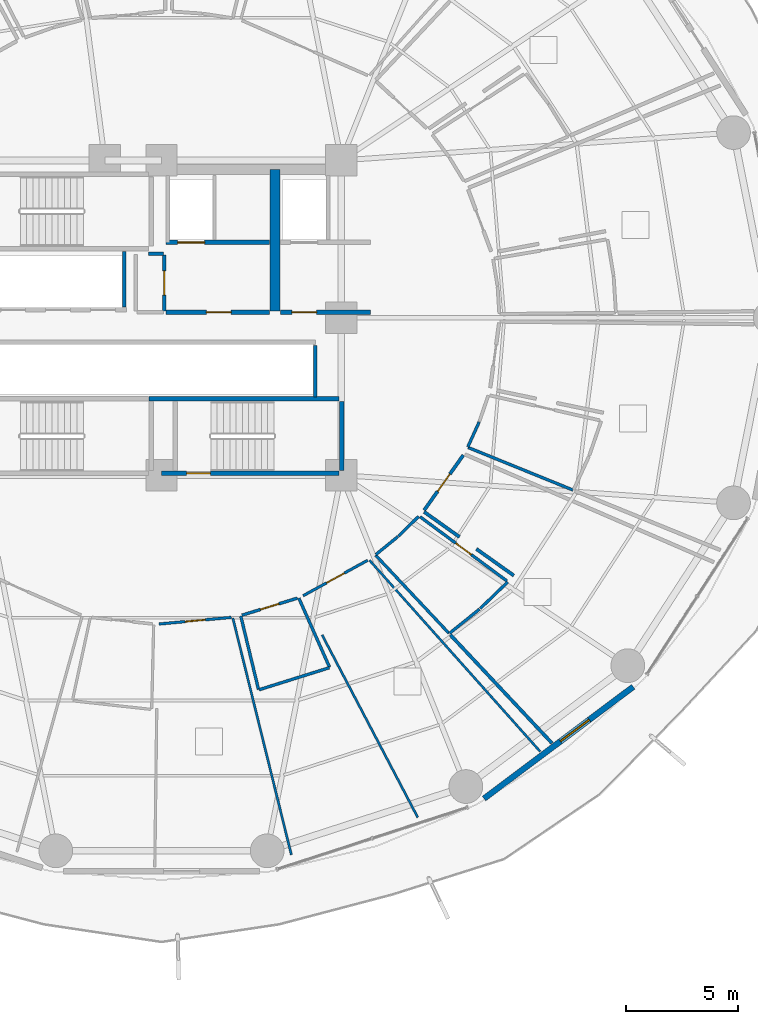
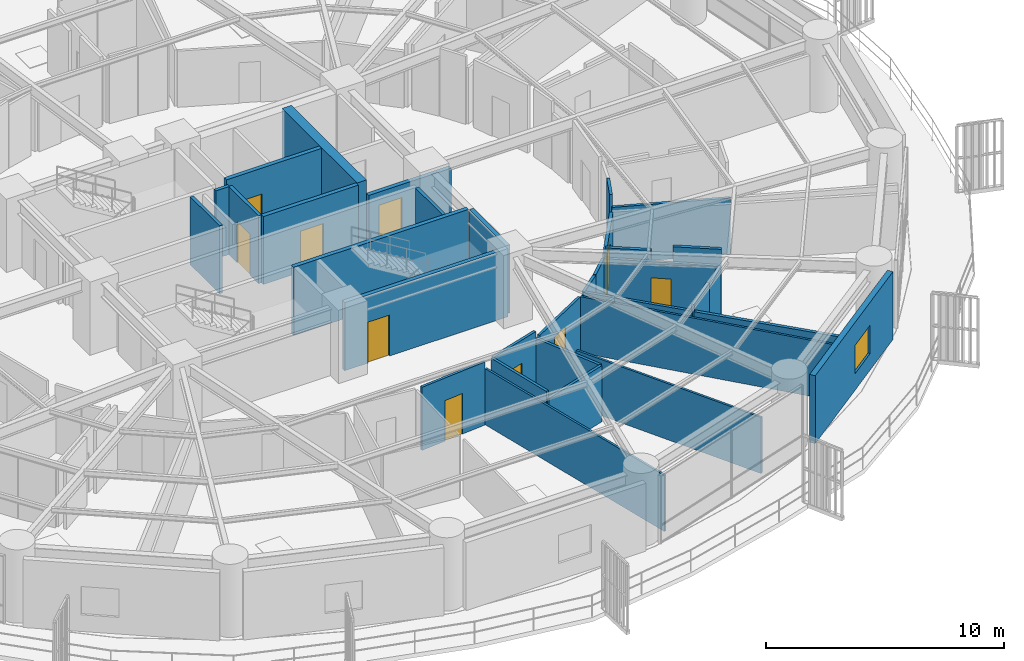
# One storey, part 25 of 34: 33 walls, 10 doors, 1 window, 11 openings.
"""IFC4 building model written with IfcOpenShell, lengths in metres."""

from ifc_helpers import new_model, si_unit, direction, frame, frame_2d, origin, place, context, subcontext, project, spatial, rectangle, extrude, material, layer, layer_set, type_object, element, fill, save


model = new_model("IFC4")

# Units and contexts
model_context = context("Model", 3, precision=1e-05, world=origin(), true_north=direction((0.0, 1.0)))
body_context = subcontext(model_context, "Body", "Model", "MODEL_VIEW")
ifc_project = project(units=[si_unit("LENGTHUNIT", "METRE"), si_unit("AREAUNIT", "SQUARE_METRE"), si_unit("VOLUMEUNIT", "CUBIC_METRE"), si_unit("PLANEANGLEUNIT", "RADIAN"), si_unit("MASSUNIT", "GRAM", prefix="KILO")], contexts=[model_context])

# Site, building, storey
site_placement = place(None, origin())
site = spatial("IfcSite", under=ifc_project, at=site_placement, CompositionType="ELEMENT")
building_placement = place(site_placement, origin())
building = spatial("IfcBuilding", under=site, at=building_placement, Name="Kelanora Arch Commons", CompositionType="ELEMENT")
storey_placement = place(building_placement, frame((0.0, 0.0, 30.0)))
storey = spatial("IfcBuildingStorey", under=building, at=storey_placement, Name="L07", CompositionType="ELEMENT", Elevation=30.0)

# Walls
ifc_material_1 = material(Name="Autoclaved aerated concrete blockwork with fire plaster", Category="masonry")
ifc_layer_1 = layer(ifc_material_1, 0.14990234375)
ifc_layer_set_1 = layer_set([ifc_layer_1], Name="Autoclaved aerated concrete blockwork with fire plaster")
wall_type_1 = type_object("IfcWallType", Name="W-COMP-150", PredefinedType="PARTITIONING", material=ifc_layer_set_1)
wall_1_placement = place(storey_placement, frame((72.340087890625, 58.47998046875, 0.0), z_axis=(0.0, 0.0, 1.0), x_axis=(0.0, 1.0, 0.0)))
element("IfcWall", 1, at=wall_1_placement, inside=storey, type_object=wall_type_1, Name="Low-Rise Lift Bank East Wall L07", PredefinedType="PARTITIONING", context=body_context, shape_type="SweptSolid", body=[
    extrude(rectangle(XDim=2.4599609375, YDim=0.14990234375, at=frame_2d((1.22998046875, 0.0))), origin(), (0.0, 0.0, 1.0), 3.47998046875),
])
wall_2_placement = place(storey_placement, frame((80.840087890625, 54.47998046875, 0.0), z_axis=(0.0, 0.0, 1.0), x_axis=(0.0, 1.0, 0.0)))
element("IfcWall", 2, at=wall_2_placement, inside=storey, type_object=wall_type_1, Name="South Lift Bank East Wall L07", PredefinedType="PARTITIONING", context=body_context, shape_type="SweptSolid", body=[
    extrude(rectangle(XDim=2.2900390625, YDim=0.14990234375, at=frame_2d((1.14501953125, 0.0))), origin(), (0.0, 0.0, 1.0), 3.47998046875),
])

# Wall, opening, door
wall_3_placement = place(storey_placement, frame((74.1201171875, 58.31005859375, 0.0), z_axis=(0.0, 0.0, 1.0), x_axis=(0.0, 1.0, 0.0)))
wall_3 = element("IfcWall", 3, at=wall_3_placement, inside=storey, type_object=wall_type_1, Name="Core Linen Supply Store L07 Entry Partition", PredefinedType="PARTITIONING", context=body_context, shape_type="SweptSolid", body=[
    extrude(rectangle(XDim=2.47998046875, YDim=0.14990234375, at=frame_2d((1.239990234375, 0.0))), origin(), (0.0, 0.0, 1.0), 3.47998046875),
])
opening_1_placement = place(wall_3_placement, frame((0.699951171875, 0.0, 0.0)))
opening_1 = element("IfcOpeningElement", 4, at=opening_1_placement, cuts=wall_3, Name="Opening D-PLT1", PredefinedType="OPENING", context=body_context, shape_type="SweptSolid", body=[
    extrude(rectangle(XDim=1.080078125, YDim=2.10009765625, at=frame_2d((0.5400390625, 1.050048828125))), frame((0.0, 0.0849609375, 0.0), z_axis=(0.0, -1.0, 0.0), x_axis=(1.0, 0.0, 0.0)), (0.0, 0.0, 1.0), 0.169921875),
])
ifc_material_2 = material(Name="Galvanised steel plant and riser fire door", Category="steel")
door_type_1 = type_object("IfcDoorType", Name="D-PLT-110", OperationType="NOTDEFINED", PredefinedType="DOOR", material=ifc_material_2)
door_1_placement = place(opening_1_placement, origin())
door_1 = element("IfcDoor", 5, at=door_1_placement, inside=storey, type_object=door_type_1, Name="Core Linen Supply Store L07 Door", OperationType="SINGLE_SWING_LEFT", OverallHeight=2.10009765625, OverallWidth=1.080078125, PredefinedType="DOOR", context=body_context, shape_type="SweptSolid", body=[
    extrude(rectangle(XDim=1.080078125, YDim=2.10009765625, at=frame_2d((0.5400390625, 1.050048828125))), frame((0.0, 0.02490234375, 0.0), z_axis=(0.0, -1.0, 0.0), x_axis=(1.0, 0.0, 0.0)), (0.0, 0.0, 1.0), 0.050048828125),
])
fill(opening_1, door_1)

wall_4_placement = place(storey_placement, frame((85.685791015625, 49.43798828125, 0.0), z_axis=(0.0, 0.0, 1.0), x_axis=(0.579107689823, 0.815251055557, 0.0)))
wall_4 = element("IfcWall", 6, at=wall_4_placement, inside=storey, type_object=wall_type_1, Name="Co-Living Studio L07-13 Entry Partition", PredefinedType="PARTITIONING", context=body_context, shape_type="SweptSolid", body=[
    extrude(rectangle(XDim=3.00537109375, YDim=0.14990234375, at=frame_2d((1.502685546875, 0.0))), origin(), (0.0, 0.0, 1.0), 2.875),
])
opening_2_placement = place(wall_4_placement, frame((1.028076171875, 0.0, 0.0)))
opening_2 = element("IfcOpeningElement", 7, at=opening_2_placement, cuts=wall_4, Name="Opening D-CLU1", PredefinedType="OPENING", context=body_context, shape_type="SweptSolid", body=[
    extrude(rectangle(XDim=0.949951171875, YDim=2.080078125, at=frame_2d((0.47509765625, 1.0400390625))), frame((0.0, 0.0849609375, 0.0), z_axis=(0.0, -1.0, 0.0), x_axis=(1.0, 0.0, 0.0)), (0.0, 0.0, 1.0), 0.169921875),
])
ifc_material_3 = material(Name="Solid-core acoustic timber cluster entry fire door", Category="wood")
door_type_2 = type_object("IfcDoorType", Name="D-CLU-95", OperationType="NOTDEFINED", PredefinedType="DOOR", material=ifc_material_3)
door_2_placement = place(opening_2_placement, origin())
door_2 = element("IfcDoor", 8, at=door_2_placement, inside=storey, type_object=door_type_2, Name="Co-Living Studio L07-13 Door", OperationType="SINGLE_SWING_LEFT", OverallHeight=2.080078125, OverallWidth=0.949951171875, PredefinedType="DOOR", context=body_context, shape_type="SweptSolid", body=[
    extrude(rectangle(XDim=0.949951171875, YDim=2.080078125, at=frame_2d((0.47509765625, 1.0400390625))), frame((0.0, 0.02490234375, 0.0), z_axis=(0.0, -1.0, 0.0), x_axis=(1.0, 0.0, 0.0)), (0.0, 0.0, 1.0), 0.050048828125),
])
fill(opening_2, door_2)

# Walls
wall_5_placement = place(storey_placement, frame((74.080078125, 60.85009765625, 0.0), z_axis=(0.0, 0.0, 1.0), x_axis=(-1.0, 0.0, 0.0)))
element("IfcWall", 9, at=wall_5_placement, inside=storey, type_object=wall_type_1, Name="Core Linen Supply Store L07 Enclosure Partition 3", PredefinedType="PARTITIONING", context=body_context, shape_type="SweptSolid", body=[
    extrude(rectangle(XDim=0.66015625, YDim=0.14990234375, at=frame_2d((0.330078125, 0.0))), origin(), (0.0, 0.0, 1.0), 3.47998046875),
])
wall_6_placement = place(storey_placement, frame((91.36767578125, 39.078125, 0.0), z_axis=(0.0, 0.0, 1.0), x_axis=(-0.684296653493, 0.729203736975, 0.0)))
element("IfcWall", 10, at=wall_6_placement, inside=storey, type_object=wall_type_1, Name="Co-Living Studio L07-13 Enclosure Partition 5", PredefinedType="PARTITIONING", context=body_context, shape_type="SweptSolid", body=[
    extrude(rectangle(XDim=6.60009765625, YDim=0.14990234375, at=frame_2d((3.300048828125, 0.0))), origin(), (0.0, 0.0, 1.0), 2.875),
])
wall_7_placement = place(storey_placement, frame((89.67138671875, 46.533203125, 0.0), z_axis=(0.0, 0.0, 1.0), x_axis=(-0.815281399299, 0.579064970411, 0.0)))
element("IfcWall", 11, at=wall_7_placement, inside=storey, type_object=wall_type_1, Name="Co-Living Studio L07-13 Enclosure Partition 7", PredefinedType="PARTITIONING", context=body_context, shape_type="SweptSolid", body=[
    extrude(rectangle(XDim=2.042236328125, YDim=0.14990234375, at=frame_2d((1.02099609375, 0.0))), origin(), (0.0, 0.0, 1.0), 3.47998046875),
])
wall_8_placement = place(storey_placement, frame((87.256103515625, 48.248779296875, 0.0), z_axis=(0.0, 0.0, 1.0), x_axis=(-0.815270043711, 0.579080957922, 0.0)))
element("IfcWall", 12, at=wall_8_placement, inside=storey, type_object=wall_type_1, Name="Co-Living Studio L07-13 Enclosure Partition 7", PredefinedType="PARTITIONING", context=body_context, shape_type="SweptSolid", body=[
    extrude(rectangle(XDim=1.9287109375, YDim=0.14990234375, at=frame_2d((0.96435546875, 0.0))), origin(), (0.0, 0.0, 1.0), 3.235107421875),
])
ifc_material_4 = material(Name="Concrete C60/75", Category="concrete")
ifc_layer_2 = layer(ifc_material_4, 0.449951171875)
ifc_layer_set_2 = layer_set([ifc_layer_2], Name="Concrete C60/75")
wall_type_2 = type_object("IfcWallType", Name="W-CORE-450", PredefinedType="SHEAR", material=ifc_layer_set_2)
wall_9_placement = place(storey_placement, frame((79.050048828125, 58.300048828125, 0.0), z_axis=(0.0, 0.0, 1.0), x_axis=(0.0, 1.0, 0.0)))
element("IfcWall", 13, at=wall_9_placement, inside=storey, type_object=wall_type_2, Name="Core Shear Spine L07-CE-N", PredefinedType="SHEAR", context=body_context, shape_type="SweptSolid", body=[
    extrude(rectangle(XDim=6.300048828125, YDim=0.449951171875, at=frame_2d((3.14990234375, 0.0))), origin(), (0.0, 0.0, 1.0), 3.489990234375),
])

# Wall, opening, window
ifc_material_5 = material(Name="Precast concrete C40/50 with terracotta rainscreen", Category="masonry")
ifc_layer_3 = layer(ifc_material_5, 0.260009765625)
ifc_layer_set_3 = layer_set([ifc_layer_3], Name="Precast concrete C40/50 with terracotta rainscreen")
wall_type_3 = type_object("IfcWallType", Name="W-EXT-TC", PredefinedType="SOLIDWALL", material=ifc_layer_set_3)
wall_10_placement = place(storey_placement, frame((88.348876953125, 36.61083984375, 0.0), z_axis=(0.0, 0.0, 1.0), x_axis=(0.80030733173, 0.599590005569, 0.0)))
wall_10 = element("IfcWall", 14, at=wall_10_placement, inside=storey, type_object=wall_type_3, Name="Terracotta Exterior Wall L07-B15", PredefinedType="SOLIDWALL", context=body_context, shape_type="SweptSolid", body=[
    extrude(rectangle(XDim=8.29052734375, YDim=0.260009765625, at=frame_2d((4.145263671875, 0.0))), origin(), (0.0, 0.0, 1.0), 3.47509765625),
])
opening_3_placement = place(wall_10_placement, frame((4.2451171875, 0.0, 0.85009765625)))
opening_3 = element("IfcOpeningElement", 15, at=opening_3_placement, cuts=wall_10, Name="Opening WN-01", PredefinedType="OPENING", context=body_context, shape_type="SweptSolid", body=[
    extrude(rectangle(XDim=1.60009765625, YDim=1.449951171875, at=frame_2d((0.800048828125, 0.72509765625))), frame((0.0, 0.14013671875, 0.0), z_axis=(0.0, -1.0, 0.0), x_axis=(1.0, 0.0, 0.0)), (0.0, 0.0, 1.0), 0.280029296875),
])
ifc_material_6 = material(Name="Terracotta-anodised aluminium frame with operable low-E glazing", Category="masonry")
window_type = type_object("IfcWindowType", Name="WIN-CL-18", PartitioningType="DOUBLE_PANEL_VERTICAL", PredefinedType="WINDOW", material=ifc_material_6)
window_placement = place(opening_3_placement, origin())
window = element("IfcWindow", 16, at=window_placement, inside=storey, type_object=window_type, Name="Co-Living Operable Window L07-B15", OverallHeight=1.449951171875, OverallWidth=1.60009765625, PartitioningType="SINGLE_PANEL", PredefinedType="WINDOW", context=body_context, shape_type="SweptSolid", body=[
    extrude(rectangle(XDim=1.60009765625, YDim=1.449951171875, at=frame_2d((0.800048828125, 0.72509765625))), frame((0.0, 0.030029296875, 0.0), z_axis=(0.0, -1.0, 0.0), x_axis=(1.0, 0.0, 0.0)), (0.0, 0.0, 1.0), 0.06005859375),
])
fill(opening_3, window)

# Wall, opening, door
ifc_material_7 = material(Name="Concrete C40/50", Category="concrete")
ifc_layer_4 = layer(ifc_material_7, 0.199951171875)
ifc_layer_set_4 = layer_set([ifc_layer_4], Name="Concrete C40/50")
wall_type_4 = type_object("IfcWallType", Name="W-FFL-200", PredefinedType="SOLIDWALL", material=ifc_layer_set_4)
wall_11_placement = place(storey_placement, frame((74.199951171875, 61.35009765625, 0.0), z_axis=(0.0, 0.0, 1.0), x_axis=(1.0, 0.0, 0.0)))
wall_11 = element("IfcWall", 17, at=wall_11_placement, inside=storey, type_object=wall_type_4, Name="Firefighting Lift 1 Shaft Front L07", PredefinedType="SOLIDWALL", context=body_context, shape_type="SweptSolid", body=[
    extrude(rectangle(XDim=4.60009765625, YDim=0.199951171875, at=frame_2d((2.300048828125, 0.0))), origin(), (0.0, 0.0, 1.0), 3.47998046875),
])
opening_4_placement = place(wall_11_placement, frame((0.52001953125, 0.0, 0.0)))
opening_4 = element("IfcOpeningElement", 18, at=opening_4_placement, cuts=wall_11, Name="Opening LD-FF", PredefinedType="OPENING", context=body_context, shape_type="SweptSolid", body=[
    extrude(rectangle(XDim=1.199951171875, YDim=2.14990234375, at=frame_2d((0.60009765625, 1.074951171875))), frame((0.0, 0.10986328125, 0.0), z_axis=(0.0, -1.0, 0.0), x_axis=(1.0, 0.0, 0.0)), (0.0, 0.0, 1.0), 0.219970703125),
])
ifc_material_8 = material(Name="Fire-rated firefighters lift sliding landing door")
door_type_3 = type_object("IfcDoorType", Name="D-LIFT-FF", OperationType="NOTDEFINED", PredefinedType="DOOR", material=ifc_material_8)
door_3_placement = place(opening_4_placement, origin())
door_3 = element("IfcDoor", 19, at=door_3_placement, inside=storey, type_object=door_type_3, Name="Firefighting Lift LF-FF1 Landing Door L07", OperationType="DOUBLE_DOOR_SLIDING", OverallHeight=2.14990234375, OverallWidth=1.199951171875, PredefinedType="DOOR", context=body_context, shape_type="SweptSolid", body=[
    extrude(rectangle(XDim=1.199951171875, YDim=2.14990234375, at=frame_2d((0.60009765625, 1.074951171875))), frame((0.0, 0.02490234375, 0.0), z_axis=(0.0, -1.0, 0.0), x_axis=(1.0, 0.0, 0.0)), (0.0, 0.0, 1.0), 0.050048828125),
])
fill(opening_4, door_3)

wall_12_placement = place(storey_placement, frame((74.199951171875, 58.25, 0.0), z_axis=(0.0, 0.0, 1.0), x_axis=(1.0, 0.0, 0.0)))
wall_12 = element("IfcWall", 20, at=wall_12_placement, inside=storey, type_object=wall_type_4, Name="Firefighting Lobby 1 Enclosure Wall L07", PredefinedType="SOLIDWALL", context=body_context, shape_type="SweptSolid", body=[
    extrude(rectangle(XDim=4.60009765625, YDim=0.199951171875, at=frame_2d((2.300048828125, 0.0))), origin(), (0.0, 0.0, 1.0), 3.47998046875),
])
opening_5_placement = place(wall_12_placement, frame((1.800048828125, 0.0, 0.0)))
opening_5 = element("IfcOpeningElement", 21, at=opening_5_placement, cuts=wall_12, Name="Opening D-FFL1", PredefinedType="OPENING", context=body_context, shape_type="SweptSolid", body=[
    extrude(rectangle(XDim=1.10009765625, YDim=2.10009765625, at=frame_2d((0.550048828125, 1.050048828125))), frame((0.0, 0.10986328125, 0.0), z_axis=(0.0, -1.0, 0.0), x_axis=(1.0, 0.0, 0.0)), (0.0, 0.0, 1.0), 0.219970703125),
])
ifc_material_9 = material(Name="Smoke-sealed firefighting lobby fire door")
door_type_4 = type_object("IfcDoorType", Name="D-FFL-110", OperationType="NOTDEFINED", PredefinedType="DOOR", material=ifc_material_9)
door_4_placement = place(opening_5_placement, frame((1.10009765625, 0.0, 0.0), z_axis=(0.0, 0.0, 1.0), x_axis=(-1.0, 0.0, 0.0)))
door_4 = element("IfcDoor", 22, at=door_4_placement, inside=storey, type_object=door_type_4, Name="Firefighting Lobby 1 Door L07", OperationType="SINGLE_SWING_LEFT", OverallHeight=2.10009765625, OverallWidth=1.10009765625, PredefinedType="DOOR", context=body_context, shape_type="SweptSolid", body=[
    extrude(rectangle(XDim=1.10009765625, YDim=2.10009765625, at=frame_2d((0.550048828125, 1.050048828125))), frame((0.0, 0.02490234375, 0.0), z_axis=(0.0, -1.0, 0.0), x_axis=(1.0, 0.0, 0.0)), (0.0, 0.0, 1.0), 0.050048828125),
])
fill(opening_5, door_4)

wall_13_placement = place(storey_placement, frame((79.300048828125, 58.25, 0.0), z_axis=(0.0, 0.0, 1.0), x_axis=(1.0, 0.0, 0.0)))
wall_13 = element("IfcWall", 23, at=wall_13_placement, inside=storey, type_object=wall_type_4, Name="Firefighting Lobby 2 Enclosure Wall L07", PredefinedType="SOLIDWALL", context=body_context, shape_type="SweptSolid", body=[
    extrude(rectangle(XDim=4.0, YDim=0.199951171875, at=frame_2d((2.0, 0.0))), origin(), (0.0, 0.0, 1.0), 2.77490234375),
])
opening_6_placement = place(wall_13_placement, frame((0.5, 0.0, 0.0)))
opening_6 = element("IfcOpeningElement", 24, at=opening_6_placement, cuts=wall_13, Name="Opening D-FFL1", PredefinedType="OPENING", context=body_context, shape_type="SweptSolid", body=[
    extrude(rectangle(XDim=1.10009765625, YDim=2.10009765625, at=frame_2d((0.550048828125, 1.050048828125))), frame((0.0, 0.10986328125, 0.0), z_axis=(0.0, -1.0, 0.0), x_axis=(1.0, 0.0, 0.0)), (0.0, 0.0, 1.0), 0.219970703125),
])
door_5_placement = place(opening_6_placement, frame((1.10009765625, 0.0, 0.0), z_axis=(0.0, 0.0, 1.0), x_axis=(-1.0, 0.0, 0.0)))
door_5 = element("IfcDoor", 25, at=door_5_placement, inside=storey, type_object=door_type_4, Name="Firefighting Lobby 2 Door L07", OperationType="SINGLE_SWING_RIGHT", OverallHeight=2.10009765625, OverallWidth=1.10009765625, PredefinedType="DOOR", context=body_context, shape_type="SweptSolid", body=[
    extrude(rectangle(XDim=1.10009765625, YDim=2.10009765625, at=frame_2d((0.550048828125, 1.050048828125))), frame((0.0, 0.02490234375, 0.0), z_axis=(0.0, -1.0, 0.0), x_axis=(1.0, 0.0, 0.0)), (0.0, 0.0, 1.0), 0.050048828125),
])
fill(opening_6, door_5)

# Walls
ifc_material_10 = material(Name="Lightweight fire-rated acoustic stud partition")
ifc_layer_5 = layer(ifc_material_10, 0.10009765625)
ifc_layer_set_5 = layer_set([ifc_layer_5], Name="Lightweight fire-rated acoustic stud partition")
wall_type_5 = type_object("IfcWallType", Name="W-PART-100", PredefinedType="PARTITIONING", material=ifc_layer_set_5)
wall_14_placement = place(storey_placement, frame((77.174560546875, 44.63720703125, 0.0), z_axis=(0.0, 0.0, 1.0), x_axis=(0.239971369295, -0.970779965759, 0.0)))
element("IfcWall", 26, at=wall_14_placement, inside=storey, type_object=wall_type_5, Name="Quiet Reading Carrel L07-11 Enclosure Partition 2", PredefinedType="PARTITIONING", context=body_context, shape_type="SweptSolid", body=[
    extrude(rectangle(XDim=10.84619140625, YDim=0.10009765625, at=frame_2d((5.423095703125, 0.0))), origin(), (0.0, 0.0, 1.0), 2.875),
])
wall_15_placement = place(storey_placement, frame((83.253662109375, 47.211181640625, 0.0), z_axis=(0.0, 0.0, 1.0), x_axis=(0.66580890104, -0.746122313897, 0.0)))
element("IfcWall", 27, at=wall_15_placement, inside=storey, type_object=wall_type_5, Name="Tutorial Study Alcove L07-12 Enclosure Partition 2", PredefinedType="PARTITIONING", context=body_context, shape_type="SweptSolid", body=[
    extrude(rectangle(XDim=11.3994140625, YDim=0.10009765625, at=frame_2d((5.69970703125, 0.0))), origin(), (0.0, 0.0, 1.0), 2.875),
])
wall_16_placement = place(storey_placement, frame((85.4013671875, 35.769287109375, 0.0), z_axis=(0.0, 0.0, 1.0), x_axis=(-0.464308397246, 0.885673592384, 0.0)))
element("IfcWall", 28, at=wall_16_placement, inside=storey, type_object=wall_type_5, Name="Tutorial Study Alcove L07-12 Enclosure Partition 4", PredefinedType="PARTITIONING", context=body_context, shape_type="SweptSolid", body=[
    extrude(rectangle(XDim=9.170166015625, YDim=0.10009765625, at=frame_2d((4.5849609375, 0.0))), origin(), (0.0, 0.0, 1.0), 2.875),
])

# Wall, opening, door
ifc_material_11 = material(Name="Acoustic twin-stud fire-rated gypsum partition")
ifc_layer_6 = layer(ifc_material_11, 0.1201171875)
ifc_layer_set_6 = layer_set([ifc_layer_6], Name="Acoustic twin-stud fire-rated gypsum partition")
wall_type_6 = type_object("IfcWallType", Name="W-PART-120", PredefinedType="PARTITIONING", material=ifc_layer_set_6)
wall_17_placement = place(storey_placement, frame((73.896728515625, 44.37646484375, 0.0), z_axis=(0.0, 0.0, 1.0), x_axis=(0.995829610124, 0.091232601628, 0.0)))
wall_17 = element("IfcWall", 29, at=wall_17_placement, inside=storey, type_object=wall_type_6, Name="Quiet Reading Carrel L07-11 Entry Partition", PredefinedType="PARTITIONING", context=body_context, shape_type="SweptSolid", body=[
    extrude(rectangle(XDim=3.221923828125, YDim=0.1201171875, at=frame_2d((1.61083984375, 0.0))), origin(), (0.0, 0.0, 1.0), 3.235107421875),
])
opening_7_placement = place(wall_17_placement, frame((1.160888671875, 0.0, 0.0)))
opening_7 = element("IfcOpeningElement", 30, at=opening_7_placement, cuts=wall_17, Name="Opening D-RM1", PredefinedType="OPENING", context=body_context, shape_type="SweptSolid", body=[
    extrude(rectangle(XDim=0.89990234375, YDim=2.080078125, at=frame_2d((0.449951171875, 1.0400390625))), frame((0.0, 0.070068359375, 0.0), z_axis=(0.0, -1.0, 0.0), x_axis=(1.0, 0.0, 0.0)), (0.0, 0.0, 1.0), 0.14013671875),
])
ifc_material_12 = material(Name="Acoustic fire-rated timber study and lounge door", Category="wood")
door_type_5 = type_object("IfcDoorType", Name="D-ROOM-90", OperationType="NOTDEFINED", PredefinedType="DOOR", material=ifc_material_12)
door_6_placement = place(opening_7_placement, origin())
door_6 = element("IfcDoor", 31, at=door_6_placement, inside=storey, type_object=door_type_5, Name="Quiet Reading Carrel L07-11 Door", OperationType="SINGLE_SWING_LEFT", OverallHeight=2.080078125, OverallWidth=0.89990234375, PredefinedType="DOOR", context=body_context, shape_type="SweptSolid", body=[
    extrude(rectangle(XDim=0.89990234375, YDim=2.080078125, at=frame_2d((0.449951171875, 1.0400390625))), frame((0.0, 0.02490234375, 0.0), z_axis=(0.0, -1.0, 0.0), x_axis=(1.0, 0.0, 0.0)), (0.0, 0.0, 1.0), 0.050048828125),
])
fill(opening_7, door_6)

wall_18_placement = place(storey_placement, frame((80.298583984375, 45.6318359375, 0.0), z_axis=(0.0, 0.0, 1.0), x_axis=(0.876387079092, 0.481607399861, 0.0)))
wall_18 = element("IfcWall", 32, at=wall_18_placement, inside=storey, type_object=wall_type_6, Name="Tutorial Study Alcove L07-12 Entry Partition", PredefinedType="PARTITIONING", context=body_context, shape_type="SweptSolid", body=[
    extrude(rectangle(XDim=3.28125, YDim=0.1201171875, at=frame_2d((1.640625, 0.0))), origin(), (0.0, 0.0, 1.0), 2.875),
])
opening_8_placement = place(wall_18_placement, frame((1.19091796875, 0.0, 0.0)))
opening_8 = element("IfcOpeningElement", 33, at=opening_8_placement, cuts=wall_18, Name="Opening D-RM1", PredefinedType="OPENING", context=body_context, shape_type="SweptSolid", body=[
    extrude(rectangle(XDim=0.89990234375, YDim=2.080078125, at=frame_2d((0.449951171875, 1.0400390625))), frame((0.0, 0.070068359375, 0.0), z_axis=(0.0, -1.0, 0.0), x_axis=(1.0, 0.0, 0.0)), (0.0, 0.0, 1.0), 0.14013671875),
])
door_7_placement = place(opening_8_placement, origin())
door_7 = element("IfcDoor", 34, at=door_7_placement, inside=storey, type_object=door_type_5, Name="Tutorial Study Alcove L07-12 Door", OperationType="SINGLE_SWING_LEFT", OverallHeight=2.080078125, OverallWidth=0.89990234375, PredefinedType="DOOR", context=body_context, shape_type="SweptSolid", body=[
    extrude(rectangle(XDim=0.89990234375, YDim=2.080078125, at=frame_2d((0.449951171875, 1.0400390625))), frame((0.0, 0.02490234375, 0.0), z_axis=(0.0, -1.0, 0.0), x_axis=(1.0, 0.0, 0.0)), (0.0, 0.0, 1.0), 0.050048828125),
])
fill(opening_8, door_7)

ifc_layer_7 = layer(ifc_material_7, 0.199951171875)
ifc_layer_set_7 = layer_set([ifc_layer_7], Name="Concrete C40/50")
wall_type_7 = type_object("IfcWallType", Name="W-STAIR-200", PredefinedType="SHEAR", material=ifc_layer_set_7)
wall_19_placement = place(storey_placement, frame((74.0, 51.080078125, 0.0), z_axis=(0.0, 0.0, 1.0), x_axis=(1.0, 0.0, 0.0)))
wall_19 = element("IfcWall", 35, at=wall_19_placement, inside=storey, type_object=wall_type_7, Name="Stair ST-T2 Shaft Wall S L07", PredefinedType="SHEAR", context=body_context, shape_type="SweptSolid", body=[
    extrude(rectangle(XDim=7.89990234375, YDim=0.199951171875, at=frame_2d((3.949951171875, 0.0))), origin(), (0.0, 0.0, 1.0), 3.489990234375),
])
opening_9_placement = place(wall_19_placement, frame((1.1201171875, 0.0, 0.0)))
opening_9 = element("IfcOpeningElement", 36, at=opening_9_placement, cuts=wall_19, Name="Opening D-ST1", PredefinedType="OPENING", context=body_context, shape_type="SweptSolid", body=[
    extrude(rectangle(XDim=1.050048828125, YDim=2.10009765625, at=frame_2d((0.52490234375, 1.050048828125))), frame((0.0, 0.10986328125, 0.0), z_axis=(0.0, -1.0, 0.0), x_axis=(1.0, 0.0, 0.0)), (0.0, 0.0, 1.0), 0.219970703125),
])
ifc_material_13 = material(Name="Steel fire-rated stairwell escape door", Category="steel")
door_type_6 = type_object("IfcDoorType", Name="D-STAIR-110", OperationType="NOTDEFINED", PredefinedType="DOOR", material=ifc_material_13)
door_8_placement = place(opening_9_placement, origin())
door_8 = element("IfcDoor", 37, at=door_8_placement, inside=storey, type_object=door_type_6, Name="Stair ST-T2 Escape Door L07", OperationType="SINGLE_SWING_LEFT", OverallHeight=2.10009765625, OverallWidth=1.050048828125, PredefinedType="DOOR", context=body_context, shape_type="SweptSolid", body=[
    extrude(rectangle(XDim=1.050048828125, YDim=2.10009765625, at=frame_2d((0.52490234375, 1.050048828125))), frame((0.0, 0.02490234375, 0.0), z_axis=(0.0, -1.0, 0.0), x_axis=(1.0, 0.0, 0.0)), (0.0, 0.0, 1.0), 0.050048828125),
])
fill(opening_9, door_8)

# Walls
wall_20_placement = place(storey_placement, frame((82.02001953125, 51.199951171875, 0.0), z_axis=(0.0, 0.0, 1.0), x_axis=(0.0, 1.0, 0.0)))
element("IfcWall", 38, at=wall_20_placement, inside=storey, type_object=wall_type_7, Name="Stair ST-T2 Shaft Wall E L07", PredefinedType="SHEAR", context=body_context, shape_type="SweptSolid", body=[
    extrude(rectangle(XDim=3.070068359375, YDim=0.199951171875, at=frame_2d((1.53515625, 0.0))), origin(), (0.0, 0.0, 1.0), 3.489990234375),
])
wall_21_placement = place(storey_placement, frame((81.89990234375, 54.389892578125, 0.0), z_axis=(0.0, 0.0, 1.0), x_axis=(-1.0, 0.0, 0.0)))
element("IfcWall", 39, at=wall_21_placement, inside=storey, type_object=wall_type_7, Name="Stair ST-T2 Shaft Wall N L07", PredefinedType="SHEAR", context=body_context, shape_type="SweptSolid", body=[
    extrude(rectangle(XDim=8.4599609375, YDim=0.199951171875, at=frame_2d((4.22998046875, 0.0))), origin(), (0.0, 0.0, 1.0), 3.489990234375),
])

# Wall, opening, door
ifc_material_14 = material(Name="Moisture-resistant fire-rated cement-board plumbing wall")
ifc_layer_8 = layer(ifc_material_14, 0.1298828125)
ifc_layer_set_8 = layer_set([ifc_layer_8], Name="Moisture-resistant fire-rated cement-board plumbing wall")
wall_type_8 = type_object("IfcWallType", Name="W-WET-120", PredefinedType="PLUMBINGWALL", material=ifc_layer_set_8)
wall_22_placement = place(storey_placement, frame((77.580322265625, 44.767578125, 0.0), z_axis=(0.0, 0.0, 1.0), x_axis=(0.955754448098, 0.294165659011, 0.0)))
wall_22 = element("IfcWall", 40, at=wall_22_placement, inside=storey, type_object=wall_type_8, Name="Accessible Shared Floor WC L07-12 Entry Partition", PredefinedType="PLUMBINGWALL", context=body_context, shape_type="SweptSolid", body=[
    extrude(rectangle(XDim=2.579345703125, YDim=0.1298828125, at=frame_2d((1.28955078125, 0.0))), origin(), (0.0, 0.0, 1.0), 3.235107421875),
])
opening_10_placement = place(wall_22_placement, frame((0.860107421875, 0.0, 0.0)))
opening_10 = element("IfcOpeningElement", 41, at=opening_10_placement, cuts=wall_22, Name="Opening D-BT1", PredefinedType="OPENING", context=body_context, shape_type="SweptSolid", body=[
    extrude(rectangle(XDim=0.860107421875, YDim=2.050048828125, at=frame_2d((0.43017578125, 1.02490234375))), frame((0.0, 0.074951171875, 0.0), z_axis=(0.0, -1.0, 0.0), x_axis=(1.0, 0.0, 0.0)), (0.0, 0.0, 1.0), 0.14990234375),
])
ifc_material_15 = material(Name="Moisture-sealed fire-rated accessible bathroom door")
door_type_7 = type_object("IfcDoorType", Name="D-BATH-85", OperationType="NOTDEFINED", PredefinedType="DOOR", material=ifc_material_15)
door_9_placement = place(opening_10_placement, origin())
door_9 = element("IfcDoor", 42, at=door_9_placement, inside=storey, type_object=door_type_7, Name="Accessible Shared Floor WC L07-12 Door", OperationType="SINGLE_SWING_RIGHT", OverallHeight=2.050048828125, OverallWidth=0.860107421875, PredefinedType="DOOR", context=body_context, shape_type="SweptSolid", body=[
    extrude(rectangle(XDim=0.860107421875, YDim=2.050048828125, at=frame_2d((0.43017578125, 1.02490234375))), frame((0.0, 0.02490234375, 0.0), z_axis=(0.0, -1.0, 0.0), x_axis=(1.0, 0.0, 0.0)), (0.0, 0.0, 1.0), 0.050048828125),
])
fill(opening_10, door_9)

wall_23_placement = place(storey_placement, frame((85.506103515625, 49.143310546875, 0.0), z_axis=(0.0, 0.0, 1.0), x_axis=(0.80412644244, -0.594458295063, 0.0)))
wall_23 = element("IfcWall", 43, at=wall_23_placement, inside=storey, type_object=wall_type_8, Name="En-Suite Shower WC L07-13 Entry Partition", PredefinedType="PLUMBINGWALL", context=body_context, shape_type="SweptSolid", body=[
    extrude(rectangle(XDim=4.798583984375, YDim=0.1298828125, at=frame_2d((2.3994140625, 0.0))), origin(), (0.0, 0.0, 1.0), 2.875),
])
opening_11_placement = place(wall_23_placement, frame((1.968994140625, 0.0, 0.0)))
opening_11 = element("IfcOpeningElement", 44, at=opening_11_placement, cuts=wall_23, Name="Opening D-BT1", PredefinedType="OPENING", context=body_context, shape_type="SweptSolid", body=[
    extrude(rectangle(XDim=0.860107421875, YDim=2.050048828125, at=frame_2d((0.43017578125, 1.02490234375))), frame((0.0, 0.074951171875, 0.0), z_axis=(0.0, -1.0, 0.0), x_axis=(1.0, 0.0, 0.0)), (0.0, 0.0, 1.0), 0.14990234375),
])
door_10_placement = place(opening_11_placement, origin())
door_10 = element("IfcDoor", 45, at=door_10_placement, inside=storey, type_object=door_type_7, Name="En-Suite Shower WC L07-13 Door", OperationType="SINGLE_SWING_RIGHT", OverallHeight=2.050048828125, OverallWidth=0.860107421875, PredefinedType="DOOR", context=body_context, shape_type="SweptSolid", body=[
    extrude(rectangle(XDim=0.860107421875, YDim=2.050048828125, at=frame_2d((0.43017578125, 1.02490234375))), frame((0.0, 0.02490234375, 0.0), z_axis=(0.0, -1.0, 0.0), x_axis=(1.0, 0.0, 0.0)), (0.0, 0.0, 1.0), 0.050048828125),
])
fill(opening_11, door_10)

# Walls
wall_24_placement = place(storey_placement, frame((80.111083984375, 45.525634765625, 0.0), z_axis=(0.0, 0.0, 1.0), x_axis=(0.405936178007, -0.913901427608, 0.0)))
element("IfcWall", 46, at=wall_24_placement, inside=storey, type_object=wall_type_8, Name="Accessible Shared Floor WC L07-12 Enclosure Partition 2", PredefinedType="PLUMBINGWALL", context=body_context, shape_type="SweptSolid", body=[
    extrude(rectangle(XDim=3.359619140625, YDim=0.1298828125, at=frame_2d((1.6796875, 0.0))), origin(), (0.0, 0.0, 1.0), 2.875),
])
wall_25_placement = place(storey_placement, frame((81.4638671875, 42.430908203125, 0.0), z_axis=(0.0, 0.0, 1.0), x_axis=(-0.954175708416, -0.299246917226, 0.0)))
element("IfcWall", 47, at=wall_25_placement, inside=storey, type_object=wall_type_8, Name="Accessible Shared Floor WC L07-12 Enclosure Partition 3", PredefinedType="PLUMBINGWALL", context=body_context, shape_type="SweptSolid", body=[
    extrude(rectangle(XDim=3.27490234375, YDim=0.1298828125, at=frame_2d((1.637451171875, 0.0))), origin(), (0.0, 0.0, 1.0), 2.875),
])
wall_26_placement = place(storey_placement, frame((78.315185546875, 41.46435546875, 0.0), z_axis=(0.0, 0.0, 1.0), x_axis=(-0.234406131581, 0.972138758345, 0.0)))
element("IfcWall", 48, at=wall_26_placement, inside=storey, type_object=wall_type_8, Name="Accessible Shared Floor WC L07-12 Enclosure Partition 4", PredefinedType="PLUMBINGWALL", context=body_context, shape_type="SweptSolid", body=[
    extrude(rectangle(XDim=3.35986328125, YDim=0.1298828125, at=frame_2d((1.679931640625, 0.0))), origin(), (0.0, 0.0, 1.0), 3.235107421875),
])
wall_27_placement = place(storey_placement, frame((83.529541015625, 47.460693359375, 0.0), z_axis=(0.0, 0.0, 1.0), x_axis=(0.77596084644, 0.63078107517, 0.0)))
element("IfcWall", 49, at=wall_27_placement, inside=storey, type_object=wall_type_8, Name="En-Suite Shower WC L07-13 Enclosure Partition 1", PredefinedType="PLUMBINGWALL", context=body_context, shape_type="SweptSolid", body=[
    extrude(rectangle(XDim=1.26806640625, YDim=0.1298828125, at=frame_2d((0.634033203125, 0.0))), origin(), (0.0, 0.0, 1.0), 2.875),
])
wall_28_placement = place(storey_placement, frame((84.543212890625, 48.287109375, 0.0), z_axis=(0.0, 0.0, 1.0), x_axis=(0.715980731769, 0.698120041064, 0.0)))
element("IfcWall", 50, at=wall_28_placement, inside=storey, type_object=wall_type_8, Name="En-Suite Shower WC L07-13 Enclosure Partition 2", PredefinedType="PLUMBINGWALL", context=body_context, shape_type="SweptSolid", body=[
    extrude(rectangle(XDim=1.257568359375, YDim=0.1298828125, at=frame_2d((0.62890625, 0.0))), origin(), (0.0, 0.0, 1.0), 2.875),
])
wall_29_placement = place(storey_placement, frame((89.398681640625, 46.2412109375, 0.0), z_axis=(0.0, 0.0, 1.0), x_axis=(-0.719664402118, -0.694322078234, 0.0)))
element("IfcWall", 51, at=wall_29_placement, inside=storey, type_object=wall_type_8, Name="En-Suite Shower WC L07-13 Enclosure Partition 4", PredefinedType="PLUMBINGWALL", context=body_context, shape_type="SweptSolid", body=[
    extrude(rectangle(XDim=1.695556640625, YDim=0.1298828125, at=frame_2d((0.84765625, 0.0))), origin(), (0.0, 0.0, 1.0), 2.875),
])
wall_30_placement = place(storey_placement, frame((88.1484375, 45.03759765625, 0.0), z_axis=(0.0, 0.0, 1.0), x_axis=(-0.778806140639, -0.627264693174, 0.0)))
element("IfcWall", 52, at=wall_30_placement, inside=storey, type_object=wall_type_8, Name="En-Suite Shower WC L07-13 Enclosure Partition 5", PredefinedType="PLUMBINGWALL", context=body_context, shape_type="SweptSolid", body=[
    extrude(rectangle(XDim=1.712646484375, YDim=0.1298828125, at=frame_2d((0.8564453125, 0.0))), origin(), (0.0, 0.0, 1.0), 3.175048828125),
])
wall_31_placement = place(storey_placement, frame((86.785400390625, 43.965576171875, 0.0), z_axis=(0.0, 0.0, 1.0), x_axis=(-0.68469858897, 0.728826345753, 0.0)))
element("IfcWall", 53, at=wall_31_placement, inside=storey, type_object=wall_type_8, Name="En-Suite Shower WC L07-13 Enclosure Partition 6", PredefinedType="PLUMBINGWALL", context=body_context, shape_type="SweptSolid", body=[
    extrude(rectangle(XDim=4.758056640625, YDim=0.1298828125, at=frame_2d((2.37890625, 0.0))), origin(), (0.0, 0.0, 1.0), 2.875),
])
wall_32_placement = place(storey_placement, frame((87.62841796875, 52.255126953125, 0.0), z_axis=(0.0, 0.0, 1.0), x_axis=(0.4138937247, 0.910325208183, 0.0)))
element("IfcWall", 54, at=wall_32_placement, inside=storey, type_object=wall_type_8, Name="En-Suite Shower WC L07-14 Enclosure Partition 1", PredefinedType="PLUMBINGWALL", context=body_context, shape_type="SweptSolid", body=[
    extrude(rectangle(XDim=1.2158203125, YDim=0.1298828125, at=frame_2d((0.60791015625, 0.0))), origin(), (0.0, 0.0, 1.0), 3.47998046875),
])
wall_33_placement = place(storey_placement, frame((92.304443359375, 50.33447265625, 0.0), z_axis=(0.0, 0.0, 1.0), x_axis=(-0.926504606816, 0.376283421835, 0.0)))
element("IfcWall", 55, at=wall_33_placement, inside=storey, type_object=wall_type_8, Name="En-Suite Shower WC L07-14 Enclosure Partition 6", PredefinedType="PLUMBINGWALL", context=body_context, shape_type="SweptSolid", body=[
    extrude(rectangle(XDim=5.0361328125, YDim=0.1298828125, at=frame_2d((2.51806640625, 0.0))), origin(), (0.0, 0.0, 1.0), 2.875),
])

save(model, "model.ifc")
